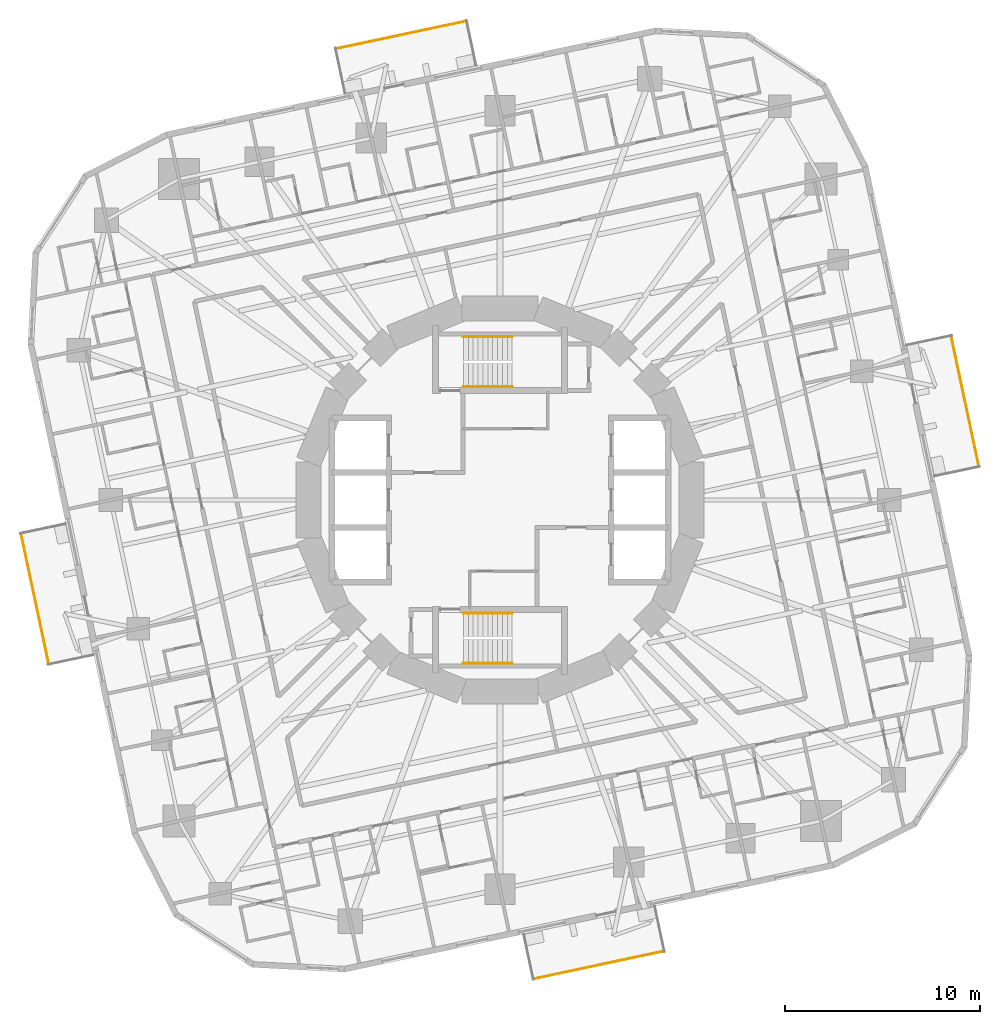
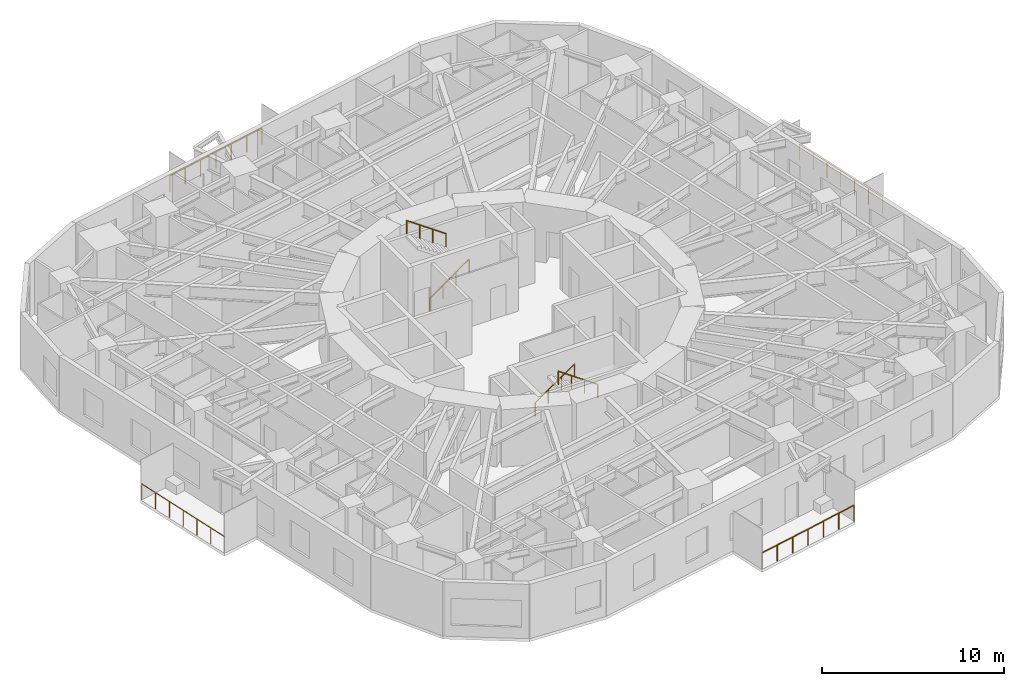
# One storey, part 13 of 14: 8 railings.
"""IFC4 building model written with IfcOpenShell, lengths in metres."""

from ifc_helpers import new_model, si_unit, direction, frame, origin, origin_2d, place, context, subcontext, project, spatial, circle, extrude, material, type_object, element, save


model = new_model("IFC4")

# Units and contexts
model_context = context("Model", 3, precision=1e-05, world=origin(), true_north=direction((0.0, 1.0)))
body_context = subcontext(model_context, "Body", "Model", "MODEL_VIEW")
ifc_project = project(units=[si_unit("LENGTHUNIT", "METRE"), si_unit("AREAUNIT", "SQUARE_METRE"), si_unit("VOLUMEUNIT", "CUBIC_METRE"), si_unit("PLANEANGLEUNIT", "RADIAN"), si_unit("MASSUNIT", "GRAM", prefix="KILO")], contexts=[model_context])

# Site, building, storey
site_placement = place(None, origin())
site = spatial("IfcSite", under=ifc_project, at=site_placement, CompositionType="ELEMENT")
building_placement = place(site_placement, origin())
building = spatial("IfcBuilding", under=site, at=building_placement, Name="Nakasero Lantern House", CompositionType="ELEMENT")
storey_placement = place(building_placement, frame((0.0, 0.0, 112.699951171875)))
storey = spatial("IfcBuildingStorey", under=building, at=storey_placement, Name="L27", CompositionType="ELEMENT", Elevation=112.699951171875)

# Railings
ifc_material_1 = material(Name="Aluminium 6063-T6", Category="aluminium")
railing_type_1 = type_object("IfcRailingType", Name="Balcony guard 1100", PredefinedType="BALUSTRADE", material=ifc_material_1)
railing_1_placement = place(storey_placement, frame((24.52685546875, 1.72705078125, 0.0)))
element("IfcRailing", 1, at=railing_1_placement, inside=storey, type_object=railing_type_1, Name="Balcony guard L27 BAL0", PredefinedType="BALUSTRADE", context=body_context, shape_type="SweptSolid", body=[
    extrude(circle(Radius=0.02392578125, at=origin_2d()), frame((0.0, 0.0, 1.076171875), z_axis=(-0.207907990246, 0.978148387307, 0.0), x_axis=(-0.978148387307, -0.207907990246, 0.0)), (0.0, 0.0, 1.0), 6.820068359375),
    extrude(circle(Radius=0.02099609375, at=origin_2d()), origin(), (0.0, 0.0, 1.0), 1.052001953125),
    extrude(circle(Radius=0.02099609375, at=origin_2d()), frame((-0.236328125, 1.11181640625, 0.0)), (0.0, 0.0, 1.0), 1.052001953125),
    extrude(circle(Radius=0.02099609375, at=origin_2d()), frame((-0.47265625, 2.2236328125, 0.0)), (0.0, 0.0, 1.0), 1.052001953125),
    extrude(circle(Radius=0.02099609375, at=origin_2d()), frame((-0.708984375, 3.33544921875, 0.0)), (0.0, 0.0, 1.0), 1.052001953125),
    extrude(circle(Radius=0.02099609375, at=origin_2d()), frame((-0.9453125, 4.447509765625, 0.0)), (0.0, 0.0, 1.0), 1.052001953125),
    extrude(circle(Radius=0.02099609375, at=origin_2d()), frame((-1.181640625, 5.559326171875, 0.0)), (0.0, 0.0, 1.0), 1.052001953125),
    extrude(circle(Radius=0.02099609375, at=origin_2d()), frame((-1.41796875, 6.671142578125, 0.0)), (0.0, 0.0, 1.0), 1.052001953125),
])
railing_2_placement = place(storey_placement, frame((-1.72705078125, 24.52685546875, 0.0)))
element("IfcRailing", 2, at=railing_2_placement, inside=storey, type_object=railing_type_1, Name="Balcony guard L27 BAL1", PredefinedType="BALUSTRADE", context=body_context, shape_type="SweptSolid", body=[
    extrude(circle(Radius=0.02392578125, at=origin_2d()), frame((0.0, 0.0, 1.076171875), z_axis=(-0.978148387307, -0.207907990246, 0.0), x_axis=(0.207907990246, -0.978148387307, 0.0)), (0.0, 0.0, 1.0), 6.820068359375),
    extrude(circle(Radius=0.02099609375, at=origin_2d()), origin(), (0.0, 0.0, 1.0), 1.052001953125),
    extrude(circle(Radius=0.02099609375, at=origin_2d()), frame((-1.11181640625, -0.236328125, 0.0)), (0.0, 0.0, 1.0), 1.052001953125),
    extrude(circle(Radius=0.02099609375, at=origin_2d()), frame((-2.2236328125, -0.47265625, 0.0)), (0.0, 0.0, 1.0), 1.052001953125),
    extrude(circle(Radius=0.02099609375, at=origin_2d()), frame((-3.33544921875, -0.708984375, 0.0)), (0.0, 0.0, 1.0), 1.052001953125),
    extrude(circle(Radius=0.02099609375, at=origin_2d()), frame((-4.447509765625, -0.9453125, 0.0)), (0.0, 0.0, 1.0), 1.052001953125),
    extrude(circle(Radius=0.02099609375, at=origin_2d()), frame((-5.559326171875, -1.181640625, 0.0)), (0.0, 0.0, 1.0), 1.052001953125),
    extrude(circle(Radius=0.02099609375, at=origin_2d()), frame((-6.671142578125, -1.41796875, 0.0)), (0.0, 0.0, 1.0), 1.052001953125),
])
railing_3_placement = place(storey_placement, frame((-24.52685546875, -1.72705078125, 0.0)))
element("IfcRailing", 3, at=railing_3_placement, inside=storey, type_object=railing_type_1, Name="Balcony guard L27 BAL2", PredefinedType="BALUSTRADE", context=body_context, shape_type="SweptSolid", body=[
    extrude(circle(Radius=0.02392578125, at=origin_2d()), frame((0.0, 0.0, 1.076171875), z_axis=(0.207907990246, -0.978148387307, 0.0), x_axis=(0.978148387307, 0.207907990246, 0.0)), (0.0, 0.0, 1.0), 6.820068359375),
    extrude(circle(Radius=0.02099609375, at=origin_2d()), origin(), (0.0, 0.0, 1.0), 1.052001953125),
    extrude(circle(Radius=0.02099609375, at=origin_2d()), frame((0.236328125, -1.11181640625, 0.0)), (0.0, 0.0, 1.0), 1.052001953125),
    extrude(circle(Radius=0.02099609375, at=origin_2d()), frame((0.47265625, -2.2236328125, 0.0)), (0.0, 0.0, 1.0), 1.052001953125),
    extrude(circle(Radius=0.02099609375, at=origin_2d()), frame((0.708984375, -3.33544921875, 0.0)), (0.0, 0.0, 1.0), 1.052001953125),
    extrude(circle(Radius=0.02099609375, at=origin_2d()), frame((0.9453125, -4.447509765625, 0.0)), (0.0, 0.0, 1.0), 1.052001953125),
    extrude(circle(Radius=0.02099609375, at=origin_2d()), frame((1.181640625, -5.559326171875, 0.0)), (0.0, 0.0, 1.0), 1.052001953125),
    extrude(circle(Radius=0.02099609375, at=origin_2d()), frame((1.41796875, -6.671142578125, 0.0)), (0.0, 0.0, 1.0), 1.052001953125),
])
railing_4_placement = place(storey_placement, frame((1.72705078125, -24.52685546875, 0.0)))
element("IfcRailing", 4, at=railing_4_placement, inside=storey, type_object=railing_type_1, Name="Balcony guard L27 BAL3", PredefinedType="BALUSTRADE", context=body_context, shape_type="SweptSolid", body=[
    extrude(circle(Radius=0.02392578125, at=origin_2d()), frame((0.0, 0.0, 1.076171875), z_axis=(0.978148387307, 0.207907990246, 0.0), x_axis=(-0.207907990246, 0.978148387307, 0.0)), (0.0, 0.0, 1.0), 6.820068359375),
    extrude(circle(Radius=0.02099609375, at=origin_2d()), origin(), (0.0, 0.0, 1.0), 1.052001953125),
    extrude(circle(Radius=0.02099609375, at=origin_2d()), frame((1.11181640625, 0.236328125, 0.0)), (0.0, 0.0, 1.0), 1.052001953125),
    extrude(circle(Radius=0.02099609375, at=origin_2d()), frame((2.2236328125, 0.47265625, 0.0)), (0.0, 0.0, 1.0), 1.052001953125),
    extrude(circle(Radius=0.02099609375, at=origin_2d()), frame((3.33544921875, 0.708984375, 0.0)), (0.0, 0.0, 1.0), 1.052001953125),
    extrude(circle(Radius=0.02099609375, at=origin_2d()), frame((4.447509765625, 0.9453125, 0.0)), (0.0, 0.0, 1.0), 1.052001953125),
    extrude(circle(Radius=0.02099609375, at=origin_2d()), frame((5.559326171875, 1.181640625, 0.0)), (0.0, 0.0, 1.0), 1.052001953125),
    extrude(circle(Radius=0.02099609375, at=origin_2d()), frame((6.671142578125, 1.41796875, 0.0)), (0.0, 0.0, 1.0), 1.052001953125),
])
ifc_material_2 = material(Name="Stainless steel 316", Category="steel")
railing_type_2 = type_object("IfcRailingType", Name="Stair handrail 900", PredefinedType="HANDRAIL", material=ifc_material_2)
railing_5_placement = place(storey_placement, frame((-1.875, 5.800048828125, 0.175048828125)))
element("IfcRailing", 5, at=railing_5_placement, inside=storey, type_object=railing_type_2, Name="Handrail ST1 L27 flight 1", PredefinedType="HANDRAIL", context=body_context, shape_type="SweptSolid", body=[
    extrude(circle(Radius=0.02392578125, at=origin_2d()), frame((0.0, 0.0, 0.8759765625), z_axis=(0.819231920519, 0.0, 0.573462344363), x_axis=(0.0, 1.0, 0.0)), (0.0, 0.0, 1.0), 3.0517578125),
    extrude(circle(Radius=0.02099609375, at=origin_2d()), origin(), (0.0, 0.0, 1.0), 0.851806640625),
    extrude(circle(Radius=0.02099609375, at=origin_2d()), frame((0.833251953125, 0.0, 0.583251953125)), (0.0, 0.0, 1.0), 0.851806640625),
    extrude(circle(Radius=0.02099609375, at=origin_2d()), frame((1.666748046875, 0.0, 1.166748046875)), (0.0, 0.0, 1.0), 0.851806640625),
    extrude(circle(Radius=0.02099609375, at=origin_2d()), frame((2.5, 0.0, 1.75)), (0.0, 0.0, 1.0), 0.851806640625),
])
railing_6_placement = place(storey_placement, frame((0.625, 8.35009765625, 2.10009765625)))
element("IfcRailing", 6, at=railing_6_placement, inside=storey, type_object=railing_type_2, Name="Handrail ST1 L27 flight 2", PredefinedType="HANDRAIL", context=body_context, shape_type="SweptSolid", body=[
    extrude(circle(Radius=0.02392578125, at=origin_2d()), frame((0.0, 0.0, 0.8759765625), z_axis=(-0.819231920519, 0.0, 0.573462344363), x_axis=(0.0, -1.0, 0.0)), (0.0, 0.0, 1.0), 3.0517578125),
    extrude(circle(Radius=0.02099609375, at=origin_2d()), origin(), (0.0, 0.0, 1.0), 0.851806640625),
    extrude(circle(Radius=0.02099609375, at=origin_2d()), frame((-0.833251953125, 0.0, 0.583251953125)), (0.0, 0.0, 1.0), 0.851806640625),
    extrude(circle(Radius=0.02099609375, at=origin_2d()), frame((-1.666748046875, 0.0, 1.166748046875)), (0.0, 0.0, 1.0), 0.851806640625),
    extrude(circle(Radius=0.02099609375, at=origin_2d()), frame((-2.5, 0.0, 1.75)), (0.0, 0.0, 1.0), 0.851806640625),
])
railing_7_placement = place(storey_placement, frame((-1.875, -5.800048828125, 0.175048828125)))
element("IfcRailing", 7, at=railing_7_placement, inside=storey, type_object=railing_type_2, Name="Handrail ST2 L27 flight 1", PredefinedType="HANDRAIL", context=body_context, shape_type="SweptSolid", body=[
    extrude(circle(Radius=0.02392578125, at=origin_2d()), frame((0.0, 0.0, 0.8759765625), z_axis=(0.819231920519, 0.0, 0.573462344363), x_axis=(0.0, 1.0, 0.0)), (0.0, 0.0, 1.0), 3.0517578125),
    extrude(circle(Radius=0.02099609375, at=origin_2d()), origin(), (0.0, 0.0, 1.0), 0.851806640625),
    extrude(circle(Radius=0.02099609375, at=origin_2d()), frame((0.833251953125, 0.0, 0.583251953125)), (0.0, 0.0, 1.0), 0.851806640625),
    extrude(circle(Radius=0.02099609375, at=origin_2d()), frame((1.666748046875, 0.0, 1.166748046875)), (0.0, 0.0, 1.0), 0.851806640625),
    extrude(circle(Radius=0.02099609375, at=origin_2d()), frame((2.5, 0.0, 1.75)), (0.0, 0.0, 1.0), 0.851806640625),
])
railing_8_placement = place(storey_placement, frame((0.625, -8.35009765625, 2.10009765625)))
element("IfcRailing", 8, at=railing_8_placement, inside=storey, type_object=railing_type_2, Name="Handrail ST2 L27 flight 2", PredefinedType="HANDRAIL", context=body_context, shape_type="SweptSolid", body=[
    extrude(circle(Radius=0.02392578125, at=origin_2d()), frame((0.0, 0.0, 0.8759765625), z_axis=(-0.819231920519, 0.0, 0.573462344363), x_axis=(0.0, -1.0, 0.0)), (0.0, 0.0, 1.0), 3.0517578125),
    extrude(circle(Radius=0.02099609375, at=origin_2d()), origin(), (0.0, 0.0, 1.0), 0.851806640625),
    extrude(circle(Radius=0.02099609375, at=origin_2d()), frame((-0.833251953125, 0.0, 0.583251953125)), (0.0, 0.0, 1.0), 0.851806640625),
    extrude(circle(Radius=0.02099609375, at=origin_2d()), frame((-1.666748046875, 0.0, 1.166748046875)), (0.0, 0.0, 1.0), 0.851806640625),
    extrude(circle(Radius=0.02099609375, at=origin_2d()), frame((-2.5, 0.0, 1.75)), (0.0, 0.0, 1.0), 0.851806640625),
])

save(model, "model.ifc")
